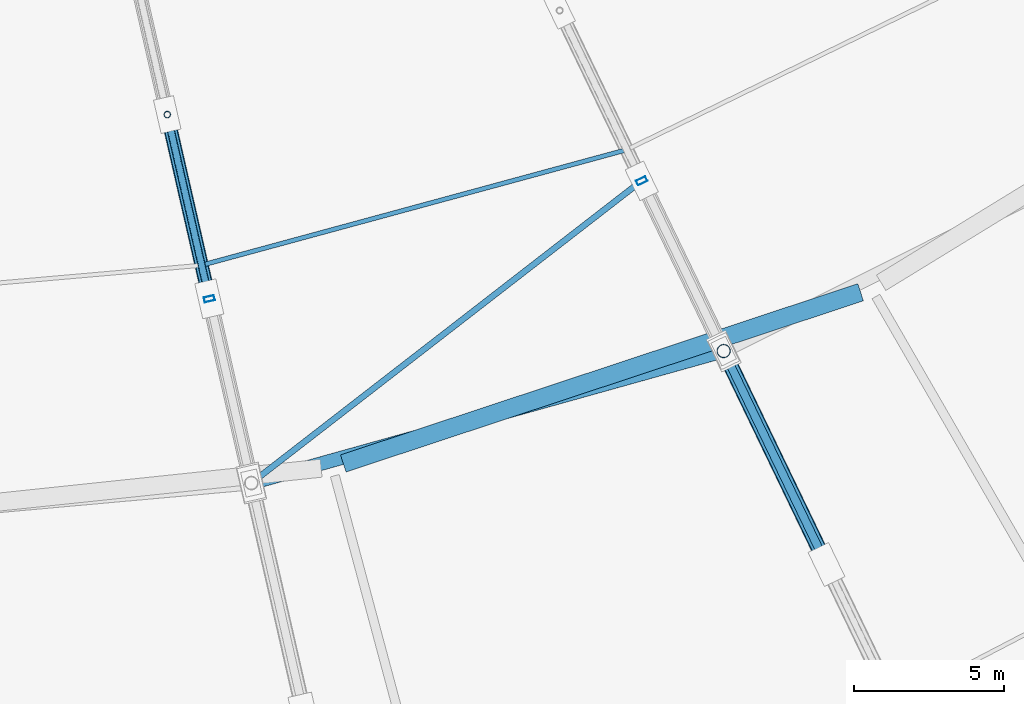
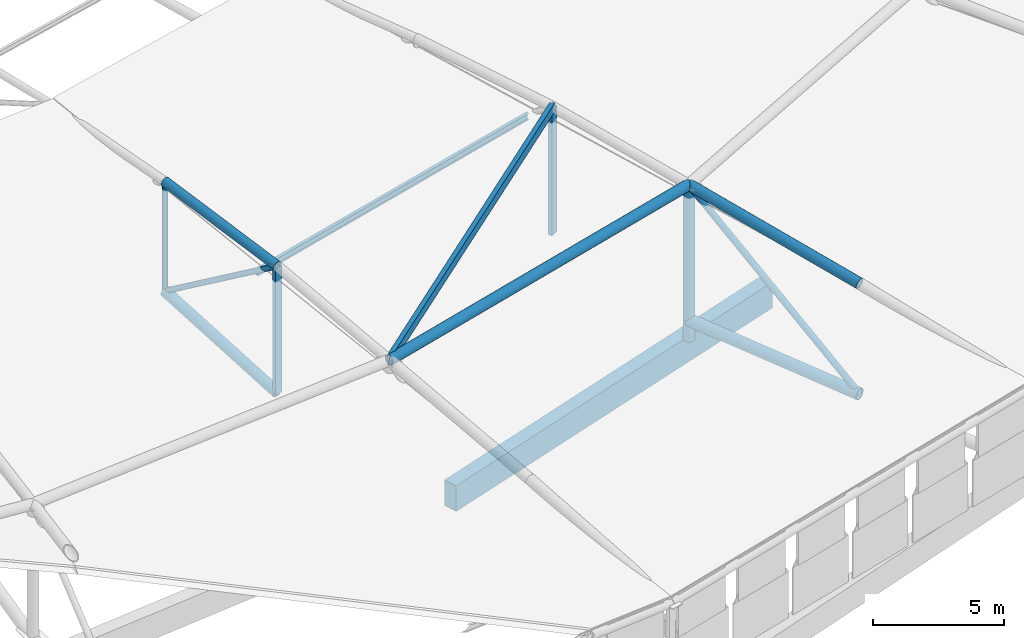
# One storey, part 18 of 108: 13 members, 1 beam.
"""IFC4 building model written with IfcOpenShell, lengths in metres."""

from ifc_helpers import new_model, si_unit, direction, frame, origin, origin_2d, place, context, subcontext, project, spatial, rectangle, hollow_rectangle, hollow_circle, i_section, extrude, material, material_profile, profile_set, type_object, element, save


model = new_model("IFC4")

# Units and contexts
model_context = context("Model", 3, precision=1e-05, world=origin(), true_north=direction((0.0, 1.0)))
body_context = subcontext(model_context, "Body", "Model", "MODEL_VIEW")
ifc_project = project(units=[si_unit("LENGTHUNIT", "METRE"), si_unit("AREAUNIT", "SQUARE_METRE"), si_unit("VOLUMEUNIT", "CUBIC_METRE"), si_unit("PLANEANGLEUNIT", "RADIAN"), si_unit("MASSUNIT", "GRAM", prefix="KILO")], contexts=[model_context])

# Site, building, storey
site_placement = place(None, origin())
site = spatial("IfcSite", under=ifc_project, at=site_placement, CompositionType="ELEMENT")
building_placement = place(site_placement, origin())
building = spatial("IfcBuilding", under=site, at=building_placement, Name="Zevraka Park Crest Stadium", CompositionType="ELEMENT")
storey_placement = place(building_placement, frame((0.0, 0.0, 29.39990234375)))
storey = spatial("IfcBuildingStorey", under=building, at=storey_placement, Name="RF", CompositionType="ELEMENT", Elevation=29.39990234375)

# Member
ifc_material_1 = material(Name="Steel S355", Category="steel")
ifc_material_profile_1 = material_profile(ifc_material_1, i_section(OverallWidth=0.14990234375, OverallDepth=0.300048828125, WebThickness=0.007080078125, FlangeThickness=0.0107421875, at=origin_2d()), Name="IPE 300")
ifc_profile_set_1 = profile_set([ifc_material_profile_1], Name="Steel S355")
member_type_1 = type_object("IfcMemberType", Name="PR02", PredefinedType="PURLIN", material=ifc_profile_set_1)
member_1_placement = place(storey_placement, frame((126.919921875, 41.25390625, 7.47314453125), z_axis=(0.965023073694, 0.26216496188, 0.0), x_axis=(-0.26216496188, 0.965023073694, 0.0)))
element("IfcMember", 1, at=member_1_placement, inside=storey, type_object=member_type_1, Name="Canopy Roof Purlin PR02 OUTER-23-2", PredefinedType="PURLIN", context=body_context, shape_type="SweptSolid", body=[
    extrude(i_section(OverallWidth=0.14990234375, OverallDepth=0.300048828125, WebThickness=0.007080078125, FlangeThickness=0.0107421875, at=origin_2d()), origin(), (0.0, 0.0, 1.0), 14.685791015625),
])

# Beam
ifc_material_2 = material(Name="Concrete C40/50", Category="concrete")
ifc_material_profile_2 = material_profile(ifc_material_2, rectangle(XDim=0.60009765625, YDim=1.199951171875, at=origin_2d()), Name="RC 1200x600")
ifc_profile_set_2 = profile_set([ifc_material_profile_2], Name="Concrete C40/50")
beam_type = type_object("IfcBeamType", Name="RB01", PredefinedType="BEAM", material=ifc_profile_set_2)
beam_placement = place(storey_placement, frame((131.64306640625, 34.64599609375, -0.599853515625), z_axis=(0.949383863235, 0.314118258349, 0.0), x_axis=(-0.314118258349, 0.949383863235, 0.0)))
element("IfcBeam", 2, at=beam_placement, inside=storey, type_object=beam_type, Name="Ring Beam RB01 RF-B-19", PredefinedType="BEAM", context=body_context, shape_type="SweptSolid", body=[
    extrude(rectangle(XDim=0.60009765625, YDim=1.199951171875, at=origin_2d()), origin(), (0.0, 0.0, 1.0), 18.165283203125),
])

# Members
ifc_material_3 = material(Name="Steel S355", Category="steel")
ifc_material_profile_3 = material_profile(ifc_material_3, hollow_circle(Radius=0.25390625, WallThickness=0.030029296875, at=origin_2d()), Name="CHS 508.0x30")
ifc_profile_set_3 = profile_set([ifc_material_profile_3], Name="Steel S355")
member_type_2 = type_object("IfcMemberType", Name="TC01", PredefinedType="CHORD", material=ifc_profile_set_3)
member_2_placement = place(storey_placement, frame((147.751953125, 31.27490234375, 0.550048828125), z_axis=(-0.433511827755, 0.900059597088, 0.044274336657), x_axis=(-0.900943052133, -0.433937342035, 0.0)))
element("IfcMember", 3, at=member_2_placement, inside=storey, type_object=member_type_2, Name="Roof Truss Bottom Chord TC01 T24-2", PredefinedType="CHORD", context=body_context, shape_type="SweptSolid", body=[
    extrude(hollow_circle(Radius=0.25390625, WallThickness=0.030029296875, at=origin_2d()), origin(), (0.0, 0.0, 1.0), 7.907470703125),
])
ifc_material_4 = material(Name="Steel S355", Category="steel")
ifc_material_profile_4 = material_profile(ifc_material_4, hollow_circle(Radius=0.228515625, WallThickness=0.02490234375, at=origin_2d()), Name="CHS 457.0x25")
ifc_profile_set_4 = profile_set([ifc_material_profile_4], Name="Steel S355")
member_type_3 = type_object("IfcMemberType", Name="TC02", PredefinedType="CHORD", material=ifc_profile_set_4)
member_3_placement = place(storey_placement, frame((127.176025390625, 40.134033203125, 2.4501953125), z_axis=(-0.2165081374, 0.948405922439, 0.231625630539), x_axis=(-0.974918840686, -0.222560675043, 0.0)))
element("IfcMember", 4, at=member_3_placement, inside=storey, type_object=member_type_3, Name="Roof Truss Bottom Chord TC02 T23-4", PredefinedType="CHORD", context=body_context, shape_type="SweptSolid", body=[
    extrude(hollow_circle(Radius=0.228515625, WallThickness=0.02490234375, at=origin_2d()), origin(), (0.0, 0.0, 1.0), 6.47607421875),
])
member_4_placement = place(storey_placement, frame((144.323974609375, 38.39208984375, 0.0), z_axis=(0.0, 0.0, 1.0), x_axis=(-0.43381634559, 0.90100131981, 0.0)))
element("IfcMember", 5, at=member_4_placement, inside=storey, type_object=member_type_3, Name="Roof Truss Anchor Strut TC02 T24-2", PredefinedType="CHORD", context=body_context, shape_type="SweptSolid", body=[
    extrude(hollow_circle(Radius=0.228515625, WallThickness=0.02490234375, at=origin_2d()), origin(), (0.0, 0.0, 1.0), 7.2001953125),
])
member_5_placement = place(storey_placement, frame((147.751953125, 31.27490234375, 5.7001953125), z_axis=(-0.426320000783, 0.885127887104, 0.186547260509), x_axis=(-0.900943052133, -0.433937342035, 0.0)))
element("IfcMember", 6, at=member_5_placement, inside=storey, type_object=member_type_3, Name="Roof Truss Top Chord TC02 T24-2", PredefinedType="CHORD", context=body_context, shape_type="SweptSolid", body=[
    extrude(hollow_circle(Radius=0.228515625, WallThickness=0.02490234375, at=origin_2d()), origin(), (0.0, 0.0, 1.0), 8.040771484375),
])
member_6_placement = place(storey_placement, frame((128.577880859375, 33.991943359375, 7.2001953125), z_axis=(0.96310300545, 0.269133054255, 0.0), x_axis=(-0.269133054255, 0.96310300545, 0.0)))
element("IfcMember", 7, at=member_6_placement, inside=storey, type_object=member_type_3, Name="Roof Main Bowl-Rim Ring Chord TC02 23", PredefinedType="CHORD", context=body_context, shape_type="SweptSolid", body=[
    extrude(hollow_circle(Radius=0.228515625, WallThickness=0.02490234375, at=origin_2d()), origin(), (0.0, 0.0, 1.0), 16.349365234375),
])
ifc_material_5 = material(Name="Steel S355", Category="steel")
ifc_material_profile_5 = material_profile(ifc_material_5, hollow_circle(Radius=0.203125, WallThickness=0.02001953125, at=origin_2d()), Name="CHS 406.4x20")
ifc_profile_set_5 = profile_set([ifc_material_profile_5], Name="Steel S355")
member_type_4 = type_object("IfcMemberType", Name="TC03", PredefinedType="CHORD", material=ifc_profile_set_5)
member_7_placement = place(storey_placement, frame((127.176025390625, 40.134033203125, 8.35009765625), z_axis=(-0.221199560267, 0.968956527537, 0.110426456432), x_axis=(-0.974918840686, -0.222560675043, 0.0)))
element("IfcMember", 8, at=member_7_placement, inside=storey, type_object=member_type_4, Name="Roof Truss Top Chord TC03 T23-4", PredefinedType="CHORD", context=body_context, shape_type="SweptSolid", body=[
    extrude(hollow_circle(Radius=0.203125, WallThickness=0.02001953125, at=origin_2d()), origin(), (0.0, 0.0, 1.0), 6.338623046875),
])
ifc_material_6 = material(Name="Steel S355", Category="steel")
ifc_material_profile_6 = material_profile(ifc_material_6, hollow_circle(Radius=0.136474609375, WallThickness=0.012451171875, at=origin_2d()), Name="CHS 273.0x12.5")
ifc_profile_set_6 = profile_set([ifc_material_profile_6], Name="Steel S355")
member_type_5 = type_object("IfcMemberType", Name="WB01", PredefinedType="BRACE", material=ifc_profile_set_6)
member_8_placement = place(storey_placement, frame((147.751953125, 31.27490234375, 0.550048828125), z_axis=(-0.331969899327, 0.689237697114, 0.644008837531), x_axis=(-0.900943052133, -0.433937342035, 0.0)))
element("IfcMember", 9, at=member_8_placement, inside=storey, type_object=member_type_5, Name="Roof Truss Web Diagonal WB01 T24-2", PredefinedType="BRACE", context=body_context, shape_type="SweptSolid", body=[
    extrude(hollow_circle(Radius=0.136474609375, WallThickness=0.012451171875, at=origin_2d()), origin(), (0.0, 0.0, 1.0), 10.326171875),
])
ifc_material_7 = material(Name="Steel S355", Category="steel")
ifc_material_profile_7 = material_profile(ifc_material_7, hollow_circle(Radius=0.109619140625, WallThickness=0.010009765625, at=origin_2d()), Name="CHS 219.1x10")
ifc_profile_set_7 = profile_set([ifc_material_profile_7], Name="Steel S355")
member_type_6 = type_object("IfcMemberType", Name="WB02", PredefinedType="BRACE", material=ifc_profile_set_7)
member_9_placement = place(storey_placement, frame((125.77392578125, 46.27587890625, 3.9501953125), z_axis=(0.0, 0.0, 1.0), x_axis=(-0.222569549971, 0.974916814618, 0.0)))
element("IfcMember", 10, at=member_9_placement, inside=storey, type_object=member_type_6, Name="Roof Truss Web Post WB02 T23-4", PredefinedType="BRACE", context=body_context, shape_type="SweptSolid", body=[
    extrude(hollow_circle(Radius=0.109619140625, WallThickness=0.010009765625, at=origin_2d()), origin(), (0.0, 0.0, 1.0), 5.099853515625),
])
ifc_material_8 = material(Name="Steel S355", Category="steel")
ifc_material_profile_8 = material_profile(ifc_material_8, hollow_rectangle(XDim=0.199951171875, YDim=0.39990234375, WallThickness=0.01611328125, at=origin_2d()), Name="RHS 400x200x16")
ifc_profile_set_8 = profile_set([ifc_material_profile_8], Name="Steel S355")
member_type_7 = type_object("IfcMemberType", Name="WB06", PredefinedType="BRACE", material=ifc_profile_set_8)
member_10_placement = place(storey_placement, frame((128.577880859375, 33.991943359375, 7.2001953125), z_axis=(0.788758249123, 0.61073938047, 0.069698160545), x_axis=(-0.61222824229, 0.790681085737, 0.0)))
element("IfcMember", 11, at=member_10_placement, inside=storey, type_object=member_type_7, Name="Canopy Roof Wind Brace WB06 23", PredefinedType="BRACE", context=body_context, shape_type="SweptSolid", body=[
    extrude(hollow_rectangle(XDim=0.199951171875, YDim=0.39990234375, WallThickness=0.01611328125, at=origin_2d()), origin(), (0.0, 0.0, 1.0), 16.498291015625),
])
ifc_material_9 = material(Name="Steel S355", Category="steel")
ifc_material_profile_9 = material_profile(ifc_material_9, hollow_circle(Radius=0.122314453125, WallThickness=0.012451171875, at=origin_2d()), Name="CHS 244.5x12.5")
ifc_profile_set_9 = profile_set([ifc_material_profile_9], Name="Steel S355")
member_type_8 = type_object("IfcMemberType", Name="WB07", PredefinedType="BRACE", material=ifc_profile_set_9)
member_11_placement = place(storey_placement, frame((125.77392578125, 46.27587890625, 3.9501953125), z_axis=(0.182464706824, -0.799279928534, 0.572589055612), x_axis=(0.974918840686, 0.222560675043, 0.0)))
element("IfcMember", 12, at=member_11_placement, inside=storey, type_object=member_type_8, Name="Roof Truss Web Diagonal WB07 T23-4", PredefinedType="BRACE", context=body_context, shape_type="SweptSolid", body=[
    extrude(hollow_circle(Radius=0.122314453125, WallThickness=0.012451171875, at=origin_2d()), origin(), (0.0, 0.0, 1.0), 7.684326171875),
])
ifc_material_10 = material(Name="Steel S355", Category="steel")
ifc_material_profile_10 = material_profile(ifc_material_10, hollow_rectangle(XDim=0.175048828125, YDim=0.35009765625, WallThickness=0.012451171875, at=origin_2d()), Name="RHS 350x175x12.5")
ifc_profile_set_10 = profile_set([ifc_material_profile_10], Name="Steel S355")
member_type_9 = type_object("IfcMemberType", Name="WB09", PredefinedType="BRACE", material=ifc_profile_set_10)
for number, where, z_axis, x_axis, name in (
    (13, (127.176025390625, 40.134033203125, 2.4501953125), (0.0, 0.0, 1.0), (-0.222569549971, 0.974916814618, 0.0), "Roof Truss Web Post WB09 T23-3"),
    (14, (141.591064453125, 44.068115234375, 2.4501953125), (0.0, 0.0, 1.0), (-0.43381634559, 0.90100131981, 0.0), "Roof Truss Web Post WB09 T24-3"),
):
    element("IfcMember", number, at=place(storey_placement, frame(where, z_axis=z_axis, x_axis=x_axis)), inside=storey, type_object=member_type_9, Name=name, PredefinedType="BRACE", context=body_context, shape_type="SweptSolid", body=[
        extrude(hollow_rectangle(XDim=0.175048828125, YDim=0.35009765625, WallThickness=0.012451171875, at=origin_2d()), origin(), (0.0, 0.0, 1.0), 5.89990234375),
    ])

save(model, "model.ifc")
